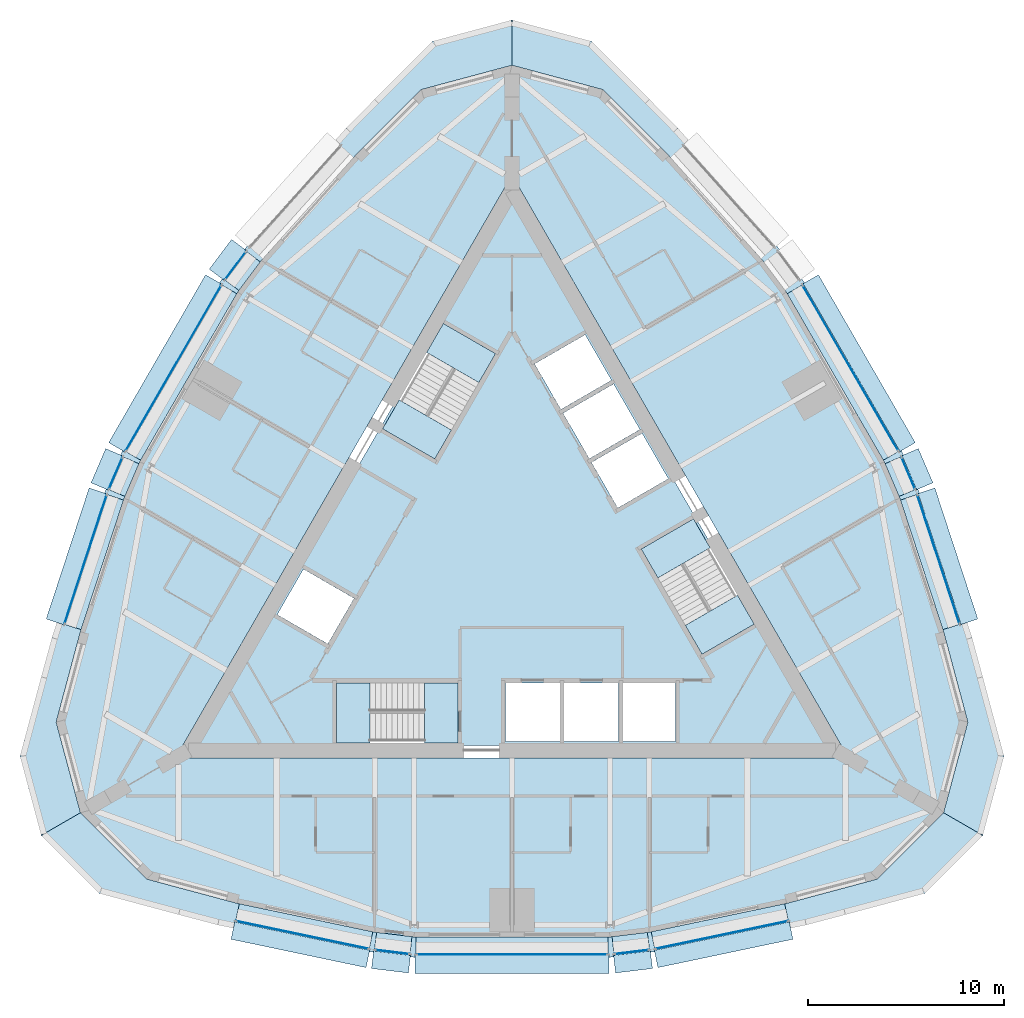
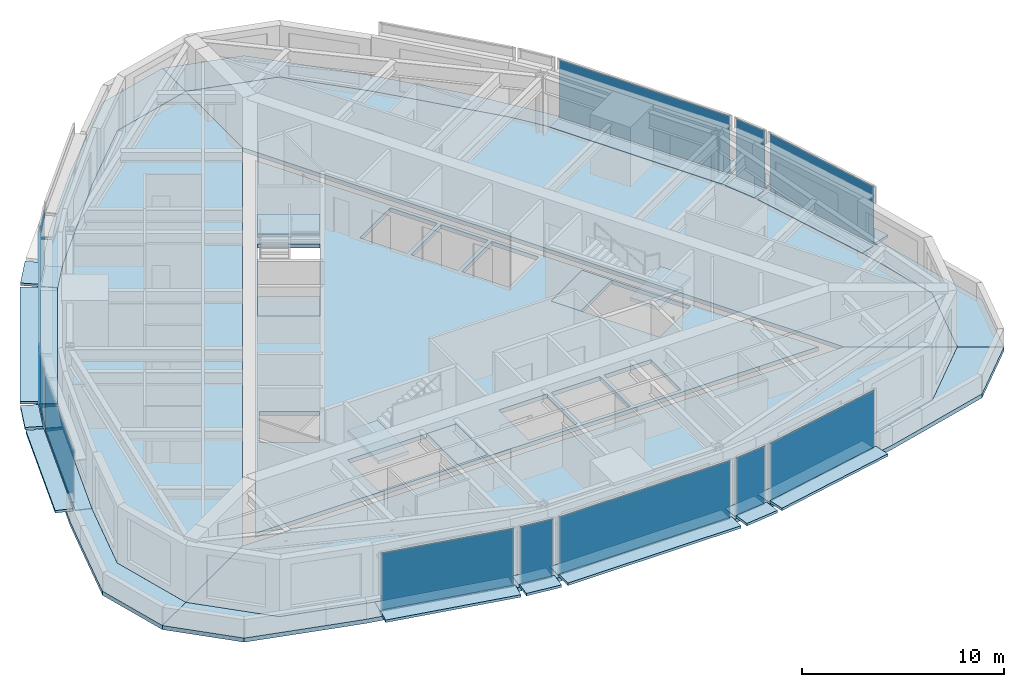
# One storey, part 6 of 13: 36 plates, 13 slabs, 15 elements without a shape of their own.
"""IFC4 building model written with IfcOpenShell, lengths in metres."""

from ifc_helpers import new_model, si_unit, direction, frame, origin, origin_2d, place, context, subcontext, project, spatial, polyline, rectangle, outline, extrude, material, layer, layer_set, type_object, element, aggregate, save


model = new_model("IFC4")

# Units and contexts
model_context = context("Model", 3, precision=1e-05, world=origin(), true_north=direction((0.0, 1.0)))
body_context = subcontext(model_context, "Body", "Model", "MODEL_VIEW")
ifc_project = project(units=[si_unit("LENGTHUNIT", "METRE"), si_unit("AREAUNIT", "SQUARE_METRE"), si_unit("VOLUMEUNIT", "CUBIC_METRE"), si_unit("PLANEANGLEUNIT", "RADIAN"), si_unit("MASSUNIT", "GRAM", prefix="KILO")], contexts=[model_context])

# Site, building, storey
site_placement = place(None, origin())
site = spatial("IfcSite", under=ifc_project, at=site_placement, CompositionType="ELEMENT")
building_placement = place(site_placement, origin())
building = spatial("IfcBuilding", under=site, at=building_placement, Name="Trikona Tower", CompositionType="ELEMENT")
storey_placement = place(building_placement, frame((0.0, 0.0, 239.300048828125)))
storey = spatial("IfcBuildingStorey", under=building, at=storey_placement, Name="L63", CompositionType="ELEMENT", Elevation=239.300048828125)

# Plates
ifc_material_1 = material(Name="Aluminium bar grating", Category="aluminium")
ifc_layer_1 = layer(ifc_material_1, 0.050048828125)
ifc_layer_set_1 = layer_set([ifc_layer_1], Name="Cavity catwalk grating")
plate_type_1 = type_object("IfcPlateType", Name="Cavity catwalk grating", PredefinedType="USERDEFINED", material=ifc_layer_set_1)
plate_1_placement = place(storey_placement, frame((-10.586181640625, -18.466552734375, -0.05029296875), z_axis=(0.0, 0.0, 1.0), x_axis=(0.97865342171, -0.205517590916, 0.0)))
element("IfcPlate", 1, at=plate_1_placement, inside=storey, type_object=plate_type_1, Name="Cavity catwalk L63-00", ObjectType="CATWALK GRATING", PredefinedType="USERDEFINED", context=body_context, shape_type="SweptSolid", body=[
    extrude(rectangle(XDim=6.95263671875, YDim=0.840087890625, at=origin_2d()), origin(), (0.0, 0.0, 1.0), 0.050048828125),
])
plate_2_placement = place(storey_placement, frame((-6.050048828125, -19.327392578125, -0.05029296875), z_axis=(0.0, 0.0, 1.0), x_axis=(0.992876783199, -0.11914568135, 0.0)))
element("IfcPlate", 2, at=plate_2_placement, inside=storey, type_object=plate_type_1, Name="Cavity catwalk L63-01", ObjectType="CATWALK GRATING", PredefinedType="USERDEFINED", context=body_context, shape_type="SweptSolid", body=[
    extrude(rectangle(XDim=1.814208984375, YDim=0.840087890625, at=origin_2d()), origin(), (0.0, 0.0, 1.0), 0.050048828125),
])
plate_3_placement = place(storey_placement, frame((0.0, -19.450439453125, -0.05029296875), z_axis=(0.0, 0.0, 1.0), x_axis=(1.0, 0.0, 0.0)))
element("IfcPlate", 3, at=plate_3_placement, inside=storey, type_object=plate_type_1, Name="Cavity catwalk L63-02", ObjectType="CATWALK GRATING", PredefinedType="USERDEFINED", context=body_context, shape_type="SweptSolid", body=[
    extrude(rectangle(XDim=9.800048828125, YDim=0.840087890625, at=origin_2d()), origin(), (0.0, 0.0, 1.0), 0.050048828125),
])
plate_4_placement = place(storey_placement, frame((6.050048828125, -19.327392578125, -0.05029296875), z_axis=(0.0, 0.0, 1.0), x_axis=(0.992876783199, 0.11914568135, 0.0)))
element("IfcPlate", 4, at=plate_4_placement, inside=storey, type_object=plate_type_1, Name="Cavity catwalk L63-03", ObjectType="CATWALK GRATING", PredefinedType="USERDEFINED", context=body_context, shape_type="SweptSolid", body=[
    extrude(rectangle(XDim=1.814208984375, YDim=0.840087890625, at=origin_2d()), origin(), (0.0, 0.0, 1.0), 0.050048828125),
])
for number, where, z_axis, x_axis, name in (
    (5, (10.586181640625, -18.466552734375, -0.05029296875), (0.0, 0.0, 1.0), (0.97865342171, 0.205517590916, 0.0), "Cavity catwalk L63-04"),
    (6, (21.28564453125, 0.065185546875, -0.05029296875), (0.0, 0.0, 1.0), (-0.311336621861, 0.950299693722, 0.0), "Cavity catwalk L63-09"),
):
    element("IfcPlate", number, at=place(storey_placement, frame(where, z_axis=z_axis, x_axis=x_axis)), inside=storey, type_object=plate_type_1, Name=name, ObjectType="CATWALK GRATING", PredefinedType="USERDEFINED", context=body_context, shape_type="SweptSolid", body=[
        extrude(rectangle(XDim=6.95263671875, YDim=0.840087890625, at=origin_2d()), origin(), (0.0, 0.0, 1.0), 0.050048828125),
    ])
plate_5_placement = place(storey_placement, frame((19.76318359375, 4.42431640625, -0.05029296875), z_axis=(0.0, 0.0, 1.0), x_axis=(-0.39328408933, 0.919417002823, 0.0)))
element("IfcPlate", 7, at=plate_5_placement, inside=storey, type_object=plate_type_1, Name="Cavity catwalk L63-10", ObjectType="CATWALK GRATING", PredefinedType="USERDEFINED", context=body_context, shape_type="SweptSolid", body=[
    extrude(rectangle(XDim=1.814208984375, YDim=0.840087890625, at=origin_2d()), origin(), (0.0, 0.0, 1.0), 0.050048828125),
])
plate_6_placement = place(storey_placement, frame((16.844482421875, 9.72509765625, -0.05029296875), z_axis=(0.0, 0.0, 1.0), x_axis=(-0.4999984885, 0.866026276448, 0.0)))
element("IfcPlate", 8, at=plate_6_placement, inside=storey, type_object=plate_type_1, Name="Cavity catwalk L63-11", ObjectType="CATWALK GRATING", PredefinedType="USERDEFINED", context=body_context, shape_type="SweptSolid", body=[
    extrude(rectangle(XDim=9.800048828125, YDim=0.840087890625, at=origin_2d()), origin(), (0.0, 0.0, 1.0), 0.050048828125),
])
plate_7_placement = place(storey_placement, frame((-13.713134765625, 14.9033203125, -0.05029296875), z_axis=(0.0, 0.0, 1.0), x_axis=(-0.599618784879, -0.800285769472, 0.0)))
element("IfcPlate", 9, at=plate_7_placement, inside=storey, type_object=plate_type_1, Name="Cavity catwalk L63-19", ObjectType="CATWALK GRATING", PredefinedType="USERDEFINED", context=body_context, shape_type="SweptSolid", body=[
    extrude(rectangle(XDim=1.814208984375, YDim=0.840087890625, at=origin_2d()), origin(), (0.0, 0.0, 1.0), 0.050048828125),
])
plate_8_placement = place(storey_placement, frame((-16.844482421875, 9.72509765625, -0.05029296875), z_axis=(0.0, 0.0, 1.0), x_axis=(-0.4999984885, -0.866026276448, 0.0)))
element("IfcPlate", 10, at=plate_8_placement, inside=storey, type_object=plate_type_1, Name="Cavity catwalk L63-20", ObjectType="CATWALK GRATING", PredefinedType="USERDEFINED", context=body_context, shape_type="SweptSolid", body=[
    extrude(rectangle(XDim=9.800048828125, YDim=0.840087890625, at=origin_2d()), origin(), (0.0, 0.0, 1.0), 0.050048828125),
])
plate_9_placement = place(storey_placement, frame((-19.76318359375, 4.42431640625, -0.05029296875), z_axis=(0.0, 0.0, 1.0), x_axis=(-0.39328408933, -0.919417002823, 0.0)))
element("IfcPlate", 11, at=plate_9_placement, inside=storey, type_object=plate_type_1, Name="Cavity catwalk L63-21", ObjectType="CATWALK GRATING", PredefinedType="USERDEFINED", context=body_context, shape_type="SweptSolid", body=[
    extrude(rectangle(XDim=1.814208984375, YDim=0.840087890625, at=origin_2d()), origin(), (0.0, 0.0, 1.0), 0.050048828125),
])
plate_10_placement = place(storey_placement, frame((-21.28564453125, 0.065185546875, -0.05029296875), z_axis=(0.0, 0.0, 1.0), x_axis=(-0.311336621861, -0.950299693722, 0.0)))
element("IfcPlate", 12, at=plate_10_placement, inside=storey, type_object=plate_type_1, Name="Cavity catwalk L63-22", ObjectType="CATWALK GRATING", PredefinedType="USERDEFINED", context=body_context, shape_type="SweptSolid", body=[
    extrude(rectangle(XDim=6.95263671875, YDim=0.840087890625, at=origin_2d()), origin(), (0.0, 0.0, 1.0), 0.050048828125),
])

# Slabs
ifc_material_2 = material(Name="Concrete f'c 5000 psi lightweight on composite steel deck", Category="concrete")
ifc_layer_2 = layer(ifc_material_2, 0.25)
ifc_layer_set_2 = layer_set([ifc_layer_2], Name="Composite floor slab 250")
slab_type_1 = type_object("IfcSlabType", Name="Composite floor slab 250", PredefinedType="FLOOR", material=ifc_layer_set_2)
slab_1_placement = place(storey_placement, frame((0.0, 0.0, -0.25)))
element("IfcSlab", 13, at=slab_1_placement, inside=storey, type_object=slab_type_1, Name="Floor slab L63 core", PredefinedType="FLOOR", context=body_context, shape_type="SweptSolid", body=[
    extrude(outline(polyline([(-16.06689453125, -9.2763671875), (16.06689453125, -9.2763671875), (0.0, 18.552490234375), (-16.06689453125, -9.2763671875)]), holes=[polyline([(6.587158203125, 0.7431640625), (9.687255859375, -4.626220703125), (12.35009765625, -3.088623046875), (9.250244140625, 2.28076171875), (6.587158203125, 0.7431640625)]), polyline([(5.659912109375, -6.086181640625), (5.659912109375, -9.06640625), (8.340087890625, -9.06640625), (8.340087890625, -6.086181640625), (5.659912109375, -6.086181640625)]), polyline([(6.631591796875, 6.646240234375), (4.05078125, 5.15625), (5.390869140625, 2.835205078125), (7.9716796875, 4.3251953125), (6.631591796875, 6.646240234375)]), polyline([(6.521484375, 6.8369140625), (5.181640625, 9.15771484375), (2.600830078125, 7.667724609375), (3.94091796875, 5.3466796875), (6.521484375, 6.8369140625)]), polyline([(2.659912109375, -9.06640625), (5.43994140625, -9.06640625), (5.43994140625, -6.086181640625), (2.659912109375, -6.086181640625), (2.659912109375, -9.06640625)]), polyline([(2.490966796875, 7.858154296875), (5.071533203125, 9.34814453125), (3.731689453125, 11.669189453125), (1.15087890625, 10.17919921875), (2.490966796875, 7.858154296875)]), polyline([(2.43994140625, -9.06640625), (2.43994140625, -6.086181640625), (-0.340087890625, -6.086181640625), (-0.340087890625, -9.06640625), (2.43994140625, -9.06640625)]), polyline([(-3.937255859375, 5.3330078125), (-0.837158203125, 10.702392578125), (-3.500244140625, 12.239990234375), (-6.60009765625, 6.87060546875), (-3.937255859375, 5.3330078125)]), polyline([(-2.75, -6.076416015625), (-8.949951171875, -6.076416015625), (-8.949951171875, -9.1513671875), (-2.75, -9.1513671875), (-2.75, -6.076416015625)]), polyline([(-11.9716796875, -2.602783203125), (-9.390869140625, -4.093017578125), (-8.05078125, -1.77197265625), (-10.631591796875, -0.281982421875), (-11.9716796875, -2.602783203125)])]), origin(), (0.0, 0.0, 1.0), 0.25),
])
slab_2_placement = place(storey_placement, frame((0.0, 0.0, -0.25)))
element("IfcSlab", 14, at=slab_2_placement, inside=storey, type_object=slab_type_1, Name="Floor slab L63 south", PredefinedType="FLOOR", context=body_context, shape_type="SweptSolid", body=[
    extrude(outline(polyline([(18.618896484375, -16.0830078125), (22.0, -12.70166015625), (17.1494140625, -9.9013671875), (-17.1494140625, -9.9013671875), (-22.0, -12.70166015625), (-18.618896484375, -16.0830078125), (-14.0, -17.320556640625), (-7.0, -18.79052734375), (-5.0, -19.030517578125), (5.0, -19.030517578125), (7.0, -18.79052734375), (14.0, -17.320556640625), (18.618896484375, -16.0830078125)])), origin(), (0.0, 0.0, 1.0), 0.25),
])
slab_3_placement = place(storey_placement, frame((0.0, 0.0, -0.25)))
element("IfcSlab", 15, at=slab_3_placement, inside=storey, type_object=slab_type_1, Name="Floor slab L63 north-east", PredefinedType="FLOOR", context=body_context, shape_type="SweptSolid", body=[
    extrude(outline(polyline([(4.618896484375, 24.165771484375), (0.0, 25.4033203125), (0.0, 19.802490234375), (17.1494140625, -9.9013671875), (22.0, -12.70166015625), (23.237548828125, -8.0830078125), (22.0, -3.464111328125), (19.773193359375, 3.3330078125), (18.98095703125, 5.18505859375), (13.98095703125, 13.845458984375), (12.773193359375, 15.45751953125), (8.0, 20.78466796875), (4.618896484375, 24.165771484375)])), origin(), (0.0, 0.0, 1.0), 0.25),
])
slab_4_placement = place(storey_placement, frame((0.0, 0.0, -0.25)))
element("IfcSlab", 16, at=slab_4_placement, inside=storey, type_object=slab_type_1, Name="Floor slab L63 north-west", PredefinedType="FLOOR", context=body_context, shape_type="SweptSolid", body=[
    extrude(outline(polyline([(0.0, 19.802490234375), (0.0, 25.4033203125), (-4.618896484375, 24.165771484375), (-8.0, 20.78466796875), (-12.773193359375, 15.45751953125), (-13.98095703125, 13.845458984375), (-18.98095703125, 5.18505859375), (-19.773193359375, 3.3330078125), (-22.0, -3.464111328125), (-23.237548828125, -8.0830078125), (-22.0, -12.70166015625), (-17.1494140625, -9.9013671875), (0.0, 19.802490234375)])), origin(), (0.0, 0.0, 1.0), 0.25),
])

# Curtain wall, plate
ifc_material_3 = material(Name="Aluminium curtain wall system", Category="aluminium")
curtain_wall_type = type_object("IfcCurtainWallType", Name="Curtain wall DS3", PredefinedType="NOTDEFINED", material=ifc_material_3)
curtain_wall_1_placement = place(storey_placement, origin())
curtain_wall_1 = element("IfcCurtainWall", 17, at=curtain_wall_1_placement, inside=storey, type_object=curtain_wall_type, Name="Curtain wall DS3 L63", PredefinedType="NOTDEFINED")
ifc_material_4 = material(Name="Laminated clear glass", Category="glass")
ifc_layer_3 = layer(ifc_material_4, 0.028076171875)
ifc_layer_set_3 = layer_set([ifc_layer_3], Name="Glass panel DS3")
plate_type_2 = type_object("IfcPlateType", Name="Glass panel DS3", PredefinedType="CURTAIN_PANEL", material=ifc_layer_set_3)
plate_11_placement = place(storey_placement, frame((-10.68505859375, -18.936279296875, 0.070068359375), z_axis=(0.0, 0.0, 1.0), x_axis=(0.978651351583, -0.205527448396, 0.0)))
plate_11 = element("IfcPlate", 18, at=plate_11_placement, type_object=plate_type_2, Name="CW-DS3 panel 1.1", PredefinedType="CURTAIN_PANEL", context=body_context, shape_type="SweptSolid", body=[
    extrude(rectangle(XDim=6.892578125, YDim=0.028076171875, at=origin_2d()), origin(), (0.0, 0.0, 1.0), 3.4599609375),
])
aggregate(curtain_wall_1, [plate_11])

curtain_wall_2_placement = place(storey_placement, origin())
curtain_wall_2 = element("IfcCurtainWall", 19, at=curtain_wall_2_placement, inside=storey, type_object=curtain_wall_type, Name="Curtain wall DS3 L63", PredefinedType="NOTDEFINED")
plate_12_placement = place(storey_placement, frame((-6.107177734375, -19.803955078125, 0.070068359375), z_axis=(0.0, 0.0, 1.0), x_axis=(0.992877338043, -0.119141057581, 0.0)))
plate_12 = element("IfcPlate", 20, at=plate_12_placement, type_object=plate_type_2, Name="CW-DS3 panel 1.1", PredefinedType="CURTAIN_PANEL", context=body_context, shape_type="SweptSolid", body=[
    extrude(rectangle(XDim=1.75439453125, YDim=0.028076171875, at=origin_2d()), origin(), (0.0, 0.0, 1.0), 3.4599609375),
])
aggregate(curtain_wall_2, [plate_12])

curtain_wall_3_placement = place(storey_placement, origin())
curtain_wall_3 = element("IfcCurtainWall", 21, at=curtain_wall_3_placement, inside=storey, type_object=curtain_wall_type, Name="Curtain wall DS3 L63", PredefinedType="NOTDEFINED")
plate_13_placement = place(storey_placement, frame((0.0, -19.930419921875, 0.070068359375), z_axis=(0.0, 0.0, 1.0), x_axis=(1.0, 0.0, 0.0)))
plate_13 = element("IfcPlate", 22, at=plate_13_placement, type_object=plate_type_2, Name="CW-DS3 panel 1.1", PredefinedType="CURTAIN_PANEL", context=body_context, shape_type="SweptSolid", body=[
    extrude(rectangle(XDim=9.739990234375, YDim=0.028076171875, at=origin_2d()), origin(), (0.0, 0.0, 1.0), 3.4599609375),
])
aggregate(curtain_wall_3, [plate_13])

curtain_wall_4_placement = place(storey_placement, origin())
curtain_wall_4 = element("IfcCurtainWall", 23, at=curtain_wall_4_placement, inside=storey, type_object=curtain_wall_type, Name="Curtain wall DS3 L63", PredefinedType="NOTDEFINED")
plate_14_placement = place(storey_placement, frame((6.107177734375, -19.803955078125, 0.070068359375), z_axis=(0.0, 0.0, 1.0), x_axis=(0.992877338043, 0.119141057581, 0.0)))
plate_14 = element("IfcPlate", 24, at=plate_14_placement, type_object=plate_type_2, Name="CW-DS3 panel 1.1", PredefinedType="CURTAIN_PANEL", context=body_context, shape_type="SweptSolid", body=[
    extrude(rectangle(XDim=1.75439453125, YDim=0.028076171875, at=origin_2d()), origin(), (0.0, 0.0, 1.0), 3.4599609375),
])
aggregate(curtain_wall_4, [plate_14])

curtain_wall_5_placement = place(storey_placement, origin())
curtain_wall_5 = element("IfcCurtainWall", 25, at=curtain_wall_5_placement, inside=storey, type_object=curtain_wall_type, Name="Curtain wall DS3 L63", PredefinedType="NOTDEFINED")
plate_15_placement = place(storey_placement, frame((10.68505859375, -18.936279296875, 0.070068359375), z_axis=(0.0, 0.0, 1.0), x_axis=(0.978651351583, 0.205527448396, 0.0)))
plate_15 = element("IfcPlate", 26, at=plate_15_placement, type_object=plate_type_2, Name="CW-DS3 panel 1.1", PredefinedType="CURTAIN_PANEL", context=body_context, shape_type="SweptSolid", body=[
    extrude(rectangle(XDim=6.892578125, YDim=0.028076171875, at=origin_2d()), origin(), (0.0, 0.0, 1.0), 3.4599609375),
])
aggregate(curtain_wall_5, [plate_15])

curtain_wall_6_placement = place(storey_placement, origin())
curtain_wall_6 = element("IfcCurtainWall", 27, at=curtain_wall_6_placement, inside=storey, type_object=curtain_wall_type, Name="Curtain wall DS3 L63", PredefinedType="NOTDEFINED")
plate_16_placement = place(storey_placement, frame((21.74169921875, 0.214599609375, 0.070068359375), z_axis=(0.0, 0.0, 1.0), x_axis=(-0.311343553515, 0.95029742275, 0.0)))
plate_16 = element("IfcPlate", 28, at=plate_16_placement, type_object=plate_type_2, Name="CW-DS3 panel 1.1", PredefinedType="CURTAIN_PANEL", context=body_context, shape_type="SweptSolid", body=[
    extrude(rectangle(XDim=6.892822265625, YDim=0.028076171875, at=origin_2d()), origin(), (0.0, 0.0, 1.0), 3.4599609375),
])
aggregate(curtain_wall_6, [plate_16])

curtain_wall_7_placement = place(storey_placement, origin())
curtain_wall_7 = element("IfcCurtainWall", 29, at=curtain_wall_7_placement, inside=storey, type_object=curtain_wall_type, Name="Curtain wall DS3 L63", PredefinedType="NOTDEFINED")
plate_17_placement = place(storey_placement, frame((20.20458984375, 4.613037109375, 0.070068359375), z_axis=(0.0, 0.0, 1.0), x_axis=(-0.393275726143, 0.919420580163, 0.0)))
plate_17 = element("IfcPlate", 30, at=plate_17_placement, type_object=plate_type_2, Name="CW-DS3 panel 1.1", PredefinedType="CURTAIN_PANEL", context=body_context, shape_type="SweptSolid", body=[
    extrude(rectangle(XDim=1.75439453125, YDim=0.028076171875, at=origin_2d()), origin(), (0.0, 0.0, 1.0), 3.4599609375),
])
aggregate(curtain_wall_7, [plate_17])

curtain_wall_8_placement = place(storey_placement, origin())
curtain_wall_8 = element("IfcCurtainWall", 31, at=curtain_wall_8_placement, inside=storey, type_object=curtain_wall_type, Name="Curtain wall DS3 L63", PredefinedType="NOTDEFINED")
plate_18_placement = place(storey_placement, frame((17.26025390625, 9.96533203125, 0.070068359375), z_axis=(0.0, 0.0, 1.0), x_axis=(-0.500001358187, 0.866024619633, 0.0)))
plate_18 = element("IfcPlate", 32, at=plate_18_placement, type_object=plate_type_2, Name="CW-DS3 panel 1.1", PredefinedType="CURTAIN_PANEL", context=body_context, shape_type="SweptSolid", body=[
    extrude(rectangle(XDim=9.739990234375, YDim=0.028076171875, at=origin_2d()), origin(), (0.0, 0.0, 1.0), 3.4599609375),
])
aggregate(curtain_wall_8, [plate_18])

curtain_wall_9_placement = place(storey_placement, origin())
curtain_wall_9 = element("IfcCurtainWall", 33, at=curtain_wall_9_placement, inside=storey, type_object=curtain_wall_type, Name="Curtain wall DS3 L63", PredefinedType="NOTDEFINED")
plate_19_placement = place(storey_placement, frame((-14.09716796875, 15.191162109375, 0.070068359375), z_axis=(0.0, 0.0, 1.0), x_axis=(-0.599653634435, -0.800259657055, 0.0)))
plate_19 = element("IfcPlate", 34, at=plate_19_placement, type_object=plate_type_2, Name="CW-DS3 panel 1.1", PredefinedType="CURTAIN_PANEL", context=body_context, shape_type="SweptSolid", body=[
    extrude(rectangle(XDim=1.754150390625, YDim=0.028076171875, at=origin_2d()), origin(), (0.0, 0.0, 1.0), 3.4599609375),
])
aggregate(curtain_wall_9, [plate_19])

curtain_wall_10_placement = place(storey_placement, origin())
curtain_wall_10 = element("IfcCurtainWall", 35, at=curtain_wall_10_placement, inside=storey, type_object=curtain_wall_type, Name="Curtain wall DS3 L63", PredefinedType="NOTDEFINED")
plate_20_placement = place(storey_placement, frame((-17.26025390625, 9.96533203125, 0.070068359375), z_axis=(0.0, 0.0, 1.0), x_axis=(-0.500001358187, -0.866024619633, 0.0)))
plate_20 = element("IfcPlate", 36, at=plate_20_placement, type_object=plate_type_2, Name="CW-DS3 panel 1.1", PredefinedType="CURTAIN_PANEL", context=body_context, shape_type="SweptSolid", body=[
    extrude(rectangle(XDim=9.739990234375, YDim=0.028076171875, at=origin_2d()), origin(), (0.0, 0.0, 1.0), 3.4599609375),
])
aggregate(curtain_wall_10, [plate_20])

curtain_wall_11_placement = place(storey_placement, origin())
curtain_wall_11 = element("IfcCurtainWall", 37, at=curtain_wall_11_placement, inside=storey, type_object=curtain_wall_type, Name="Curtain wall DS3 L63", PredefinedType="NOTDEFINED")
plate_21_placement = place(storey_placement, frame((-20.20458984375, 4.613037109375, 0.070068359375), z_axis=(0.0, 0.0, 1.0), x_axis=(-0.393275726143, -0.919420580163, 0.0)))
plate_21 = element("IfcPlate", 38, at=plate_21_placement, type_object=plate_type_2, Name="CW-DS3 panel 1.1", PredefinedType="CURTAIN_PANEL", context=body_context, shape_type="SweptSolid", body=[
    extrude(rectangle(XDim=1.75439453125, YDim=0.028076171875, at=origin_2d()), origin(), (0.0, 0.0, 1.0), 3.4599609375),
])
aggregate(curtain_wall_11, [plate_21])

curtain_wall_12_placement = place(storey_placement, origin())
curtain_wall_12 = element("IfcCurtainWall", 39, at=curtain_wall_12_placement, inside=storey, type_object=curtain_wall_type, Name="Curtain wall DS3 L63", PredefinedType="NOTDEFINED")
plate_22_placement = place(storey_placement, frame((-21.74169921875, 0.214599609375, 0.070068359375), z_axis=(0.0, 0.0, 1.0), x_axis=(-0.311343553515, -0.95029742275, 0.0)))
plate_22 = element("IfcPlate", 40, at=plate_22_placement, type_object=plate_type_2, Name="CW-DS3 panel 1.1", PredefinedType="CURTAIN_PANEL", context=body_context, shape_type="SweptSolid", body=[
    extrude(rectangle(XDim=6.892822265625, YDim=0.028076171875, at=origin_2d()), origin(), (0.0, 0.0, 1.0), 3.4599609375),
])
aggregate(curtain_wall_12, [plate_22])

# Plates
ifc_material_5 = material(Name="Aluminium plate fin, pale anodised, on stainless steel outriggers", Category="steel")
ifc_layer_4 = layer(ifc_material_5, 0.14990234375)
ifc_layer_set_4 = layer_set([ifc_layer_4], Name="Outer skin fin 900")
plate_type_3 = type_object("IfcPlateType", Name="Outer skin fin 900", PredefinedType="USERDEFINED", material=ifc_layer_set_4)
plate_23_placement = place(storey_placement, frame((-10.789794921875, -19.435302734375, 0.0), z_axis=(0.0, 0.0, 1.0), x_axis=(0.97865342171, -0.205517590916, 0.0)))
element("IfcPlate", 41, at=plate_23_placement, inside=storey, type_object=plate_type_3, Name="Outer skin fin L63-00", ObjectType="FIN", PredefinedType="USERDEFINED", context=body_context, shape_type="SweptSolid", body=[
    extrude(rectangle(XDim=7.03271484375, YDim=0.89990234375, at=origin_2d()), origin(), (0.0, 0.0, 1.0), 0.14990234375),
])
plate_24_placement = place(storey_placement, frame((-6.16796875, -20.310546875, 0.0), z_axis=(0.0, 0.0, 1.0), x_axis=(0.992876783199, -0.11914568135, 0.0)))
element("IfcPlate", 42, at=plate_24_placement, inside=storey, type_object=plate_type_3, Name="Outer skin fin L63-01", ObjectType="FIN", PredefinedType="USERDEFINED", context=body_context, shape_type="SweptSolid", body=[
    extrude(rectangle(XDim=1.894287109375, YDim=0.89990234375, at=origin_2d()), origin(), (0.0, 0.0, 1.0), 0.14990234375),
])
plate_25_placement = place(storey_placement, frame((0.0, -20.4404296875, 0.0), z_axis=(0.0, 0.0, 1.0), x_axis=(1.0, 0.0, 0.0)))
element("IfcPlate", 43, at=plate_25_placement, inside=storey, type_object=plate_type_3, Name="Outer skin fin L63-02", ObjectType="FIN", PredefinedType="USERDEFINED", context=body_context, shape_type="SweptSolid", body=[
    extrude(rectangle(XDim=9.8798828125, YDim=0.89990234375, at=origin_2d()), origin(), (0.0, 0.0, 1.0), 0.14990234375),
])
plate_26_placement = place(storey_placement, frame((6.16796875, -20.310546875, 0.0), z_axis=(0.0, 0.0, 1.0), x_axis=(0.992876783199, 0.11914568135, 0.0)))
element("IfcPlate", 44, at=plate_26_placement, inside=storey, type_object=plate_type_3, Name="Outer skin fin L63-03", ObjectType="FIN", PredefinedType="USERDEFINED", context=body_context, shape_type="SweptSolid", body=[
    extrude(rectangle(XDim=1.894287109375, YDim=0.89990234375, at=origin_2d()), origin(), (0.0, 0.0, 1.0), 0.14990234375),
])
for number, where, z_axis, x_axis, name in (
    (45, (10.789794921875, -19.435302734375, 0.0), (0.0, 0.0, 1.0), (0.97865342171, 0.205517590916, 0.0), "Outer skin fin L63-04"),
    (46, (22.2265625, 0.37353515625, 0.0), (0.0, 0.0, 1.0), (-0.311336621861, 0.950299693722, 0.0), "Outer skin fin L63-09"),
):
    element("IfcPlate", number, at=place(storey_placement, frame(where, z_axis=z_axis, x_axis=x_axis)), inside=storey, type_object=plate_type_3, Name=name, ObjectType="FIN", PredefinedType="USERDEFINED", context=body_context, shape_type="SweptSolid", body=[
        extrude(rectangle(XDim=7.03271484375, YDim=0.89990234375, at=origin_2d()), origin(), (0.0, 0.0, 1.0), 0.14990234375),
    ])
plate_27_placement = place(storey_placement, frame((20.67333984375, 4.813720703125, 0.0), z_axis=(0.0, 0.0, 1.0), x_axis=(-0.39328408933, 0.919417002823, 0.0)))
element("IfcPlate", 47, at=plate_27_placement, inside=storey, type_object=plate_type_3, Name="Outer skin fin L63-10", ObjectType="FIN", PredefinedType="USERDEFINED", context=body_context, shape_type="SweptSolid", body=[
    extrude(rectangle(XDim=1.894287109375, YDim=0.89990234375, at=origin_2d()), origin(), (0.0, 0.0, 1.0), 0.14990234375),
])
plate_28_placement = place(storey_placement, frame((17.701904296875, 10.22021484375, 0.0), z_axis=(0.0, 0.0, 1.0), x_axis=(-0.4999984885, 0.866026276448, 0.0)))
element("IfcPlate", 48, at=plate_28_placement, inside=storey, type_object=plate_type_3, Name="Outer skin fin L63-11", ObjectType="FIN", PredefinedType="USERDEFINED", context=body_context, shape_type="SweptSolid", body=[
    extrude(rectangle(XDim=9.8798828125, YDim=0.89990234375, at=origin_2d()), origin(), (0.0, 0.0, 1.0), 0.14990234375),
])
plate_29_placement = place(storey_placement, frame((-14.50537109375, 15.496826171875, 0.0), z_axis=(0.0, 0.0, 1.0), x_axis=(-0.599618784879, -0.800285769472, 0.0)))
element("IfcPlate", 49, at=plate_29_placement, inside=storey, type_object=plate_type_3, Name="Outer skin fin L63-19", ObjectType="FIN", PredefinedType="USERDEFINED", context=body_context, shape_type="SweptSolid", body=[
    extrude(rectangle(XDim=1.894287109375, YDim=0.89990234375, at=origin_2d()), origin(), (0.0, 0.0, 1.0), 0.14990234375),
])
plate_30_placement = place(storey_placement, frame((-17.701904296875, 10.22021484375, 0.0), z_axis=(0.0, 0.0, 1.0), x_axis=(-0.4999984885, -0.866026276448, 0.0)))
element("IfcPlate", 50, at=plate_30_placement, inside=storey, type_object=plate_type_3, Name="Outer skin fin L63-20", ObjectType="FIN", PredefinedType="USERDEFINED", context=body_context, shape_type="SweptSolid", body=[
    extrude(rectangle(XDim=9.8798828125, YDim=0.89990234375, at=origin_2d()), origin(), (0.0, 0.0, 1.0), 0.14990234375),
])
plate_31_placement = place(storey_placement, frame((-20.67333984375, 4.813720703125, 0.0), z_axis=(0.0, 0.0, 1.0), x_axis=(-0.39328408933, -0.919417002823, 0.0)))
element("IfcPlate", 51, at=plate_31_placement, inside=storey, type_object=plate_type_3, Name="Outer skin fin L63-21", ObjectType="FIN", PredefinedType="USERDEFINED", context=body_context, shape_type="SweptSolid", body=[
    extrude(rectangle(XDim=1.894287109375, YDim=0.89990234375, at=origin_2d()), origin(), (0.0, 0.0, 1.0), 0.14990234375),
])
plate_32_placement = place(storey_placement, frame((-22.2265625, 0.37353515625, 0.0), z_axis=(0.0, 0.0, 1.0), x_axis=(-0.311336621861, -0.950299693722, 0.0)))
element("IfcPlate", 52, at=plate_32_placement, inside=storey, type_object=plate_type_3, Name="Outer skin fin L63-22", ObjectType="FIN", PredefinedType="USERDEFINED", context=body_context, shape_type="SweptSolid", body=[
    extrude(rectangle(XDim=7.03271484375, YDim=0.89990234375, at=origin_2d()), origin(), (0.0, 0.0, 1.0), 0.14990234375),
])

# Stair, slabs
ifc_material_6 = material(Name="Concrete f'c 5000 psi", Category="concrete")
stair_type = type_object("IfcStairType", Name="Core stair", PredefinedType="HALF_TURN_STAIR", material=ifc_material_6)
stair_1_placement = place(storey_placement, origin())
stair_1 = element("IfcStair", 53, at=stair_1_placement, inside=storey, type_object=stair_type, Name="Stair A L63", PredefinedType="HALF_TURN_STAIR")
ifc_material_7 = material(Name="Concrete f'c 5000 psi", Category="concrete")
ifc_layer_5 = layer(ifc_material_7, 0.199951171875)
ifc_layer_set_5 = layer_set([ifc_layer_5], Name="Stair landing 200")
slab_type_2 = type_object("IfcSlabType", Name="Stair landing 200", PredefinedType="LANDING", material=ifc_layer_set_5)
slab_5_placement = place(storey_placement, frame((0.0, 0.0, -0.199951171875)))
slab_5 = element("IfcSlab", 54, at=slab_5_placement, type_object=slab_type_2, Name="ST-A landing 1", PredefinedType="LANDING", context=body_context, shape_type="SweptSolid", body=[
    extrude(outline(polyline([(-4.452880859375, -6.076416015625), (-2.75, -6.076416015625), (-2.75, -9.1513671875), (-4.452880859375, -9.1513671875), (-4.452880859375, -6.076416015625)])), origin(), (0.0, 0.0, 1.0), 0.199951171875),
])
slab_6_placement = place(storey_placement, frame((0.0, 0.0, 1.599853515625)))
slab_6 = element("IfcSlab", 55, at=slab_6_placement, type_object=slab_type_2, Name="ST-A landing 2", PredefinedType="LANDING", context=body_context, shape_type="SweptSolid", body=[
    extrude(outline(polyline([(-8.949951171875, -6.076416015625), (-7.2470703125, -6.076416015625), (-7.2470703125, -9.1513671875), (-8.949951171875, -9.1513671875), (-8.949951171875, -6.076416015625)])), origin(), (0.0, 0.0, 1.0), 0.2001953125),
])
aggregate(stair_1, [slab_5, slab_6])

stair_2_placement = place(storey_placement, origin())
stair_2 = element("IfcStair", 56, at=stair_2_placement, inside=storey, type_object=stair_type, Name="Stair B L63", PredefinedType="HALF_TURN_STAIR")
slab_7_placement = place(storey_placement, frame((0.0, 0.0, -0.199951171875)))
slab_7 = element("IfcSlab", 57, at=slab_7_placement, type_object=slab_type_2, Name="ST-B landing 1", PredefinedType="LANDING", context=body_context, shape_type="SweptSolid", body=[
    extrude(outline(polyline([(7.438720703125, -0.731689453125), (6.587158203125, 0.7431640625), (9.250244140625, 2.28076171875), (10.101806640625, 0.805908203125), (7.438720703125, -0.731689453125)])), origin(), (0.0, 0.0, 1.0), 0.199951171875),
])
slab_8_placement = place(storey_placement, frame((0.0, 0.0, 1.599853515625)))
slab_8 = element("IfcSlab", 58, at=slab_8_placement, type_object=slab_type_2, Name="ST-B landing 2", PredefinedType="LANDING", context=body_context, shape_type="SweptSolid", body=[
    extrude(outline(polyline([(9.687255859375, -4.626220703125), (8.835693359375, -3.1513671875), (11.498779296875, -1.61376953125), (12.35009765625, -3.088623046875), (9.687255859375, -4.626220703125)])), origin(), (0.0, 0.0, 1.0), 0.2001953125),
])
aggregate(stair_2, [slab_7, slab_8])

stair_3_placement = place(storey_placement, origin())
stair_3 = element("IfcStair", 59, at=stair_3_placement, inside=storey, type_object=stair_type, Name="Stair C L63", PredefinedType="HALF_TURN_STAIR")
slab_9_placement = place(storey_placement, frame((0.0, 0.0, -0.199951171875)))
slab_9 = element("IfcSlab", 60, at=slab_9_placement, type_object=slab_type_2, Name="ST-C landing 1", PredefinedType="LANDING", context=body_context, shape_type="SweptSolid", body=[
    extrude(outline(polyline([(-3.085693359375, 6.807861328125), (-3.937255859375, 5.3330078125), (-6.60009765625, 6.87060546875), (-5.748779296875, 8.345458984375), (-3.085693359375, 6.807861328125)])), origin(), (0.0, 0.0, 1.0), 0.199951171875),
])
slab_10_placement = place(storey_placement, frame((0.0, 0.0, 1.599853515625)))
slab_10 = element("IfcSlab", 61, at=slab_10_placement, type_object=slab_type_2, Name="ST-C landing 2", PredefinedType="LANDING", context=body_context, shape_type="SweptSolid", body=[
    extrude(outline(polyline([(-0.837158203125, 10.702392578125), (-1.688720703125, 9.2275390625), (-4.351806640625, 10.76513671875), (-3.500244140625, 12.239990234375), (-0.837158203125, 10.702392578125)])), origin(), (0.0, 0.0, 1.0), 0.2001953125),
])
aggregate(stair_3, [slab_9, slab_10])

# Slabs
ifc_material_8 = material(Name="Concrete f'c 5000 psi on composite steel deck", Category="concrete")
ifc_layer_6 = layer(ifc_material_8, 0.25)
ifc_layer_set_6 = layer_set([ifc_layer_6], Name="Terrace slab 250")
slab_type_3 = type_object("IfcSlabType", Name="Terrace slab 250", PredefinedType="ROOF", material=ifc_layer_set_6)
slab_11_placement = place(storey_placement, frame((0.0, 0.0, -0.25)))
element("IfcSlab", 62, at=slab_11_placement, inside=storey, type_object=slab_type_3, Name="Maintenance roof L63 south part 1", PredefinedType="ROOF", context=body_context, shape_type="SweptSolid", body=[
    extrude(outline(polyline([(-24.0, -13.8564453125), (-21.04150390625, -16.81494140625), (-17.0, -17.89794921875), (-15.0, -18.4248046875), (-10.0, -19.454345703125), (-5.0, -20.072021484375), (0.0, -20.27783203125), (5.0, -20.072021484375), (10.0, -19.454345703125), (15.0, -18.4248046875), (17.0, -17.89794921875), (21.04150390625, -16.81494140625), (24.0, -13.8564453125), (22.0009765625, -12.7021484375), (18.619140625, -16.083740234375), (14.000244140625, -17.321533203125), (7.000244140625, -18.79150390625), (5.0, -19.031494140625), (-5.0, -19.031494140625), (-7.000244140625, -18.79150390625), (-14.000244140625, -17.321533203125), (-18.619140625, -16.083740234375), (-22.0009765625, -12.7021484375), (-24.0, -13.8564453125)])), origin(), (0.0, 0.0, 1.0), 0.25),
])
slab_12_placement = place(storey_placement, frame((0.0, 0.0, -0.25)))
element("IfcSlab", 63, at=slab_12_placement, inside=storey, type_object=slab_type_3, Name="Maintenance roof L63 north-east part 2", PredefinedType="ROOF", context=body_context, shape_type="SweptSolid", body=[
    extrude(outline(polyline([(4.04150390625, 26.6298828125), (0.0, 27.712890625), (0.0, 25.404296875), (4.619384765625, 24.16650390625), (8.000732421875, 20.785400390625), (12.773681640625, 15.4580078125), (13.981689453125, 13.845947265625), (18.981689453125, 5.185546875), (19.774169921875, 3.33349609375), (22.0009765625, -3.4638671875), (23.238525390625, -8.082763671875), (22.0009765625, -12.7021484375), (24.0, -13.8564453125), (25.0830078125, -9.81494140625), (24.0, -5.7734375), (23.456298828125, -3.77783203125), (21.847900390625, 1.06689453125), (19.8828125, 5.705810546875), (17.56103515625, 10.138916015625), (14.8828125, 14.3662109375), (11.847900390625, 18.387451171875), (8.456298828125, 22.202880859375), (7.0, 23.67138671875), (4.04150390625, 26.6298828125)])), origin(), (0.0, 0.0, 1.0), 0.25),
])
slab_13_placement = place(storey_placement, frame((0.0, 0.0, -0.25)))
element("IfcSlab", 64, at=slab_13_placement, inside=storey, type_object=slab_type_3, Name="Maintenance roof L63 north-west part 3", PredefinedType="ROOF", context=body_context, shape_type="SweptSolid", body=[
    extrude(outline(polyline([(-24.0, -13.8564453125), (-22.0009765625, -12.7021484375), (-23.238525390625, -8.082763671875), (-22.0009765625, -3.4638671875), (-19.774169921875, 3.33349609375), (-18.981689453125, 5.185546875), (-13.981689453125, 13.845947265625), (-12.773681640625, 15.4580078125), (-8.000732421875, 20.785400390625), (-4.619384765625, 24.16650390625), (0.0, 25.404296875), (0.0, 27.712890625), (-4.04150390625, 26.6298828125), (-7.0, 23.67138671875), (-8.456298828125, 22.202880859375), (-11.847900390625, 18.387451171875), (-14.8828125, 14.3662109375), (-17.56103515625, 10.138916015625), (-19.8828125, 5.705810546875), (-21.847900390625, 1.06689453125), (-23.456298828125, -3.77783203125), (-24.0, -5.7734375), (-25.0830078125, -9.81494140625), (-24.0, -13.8564453125)])), origin(), (0.0, 0.0, 1.0), 0.25),
])

save(model, "model.ifc")
